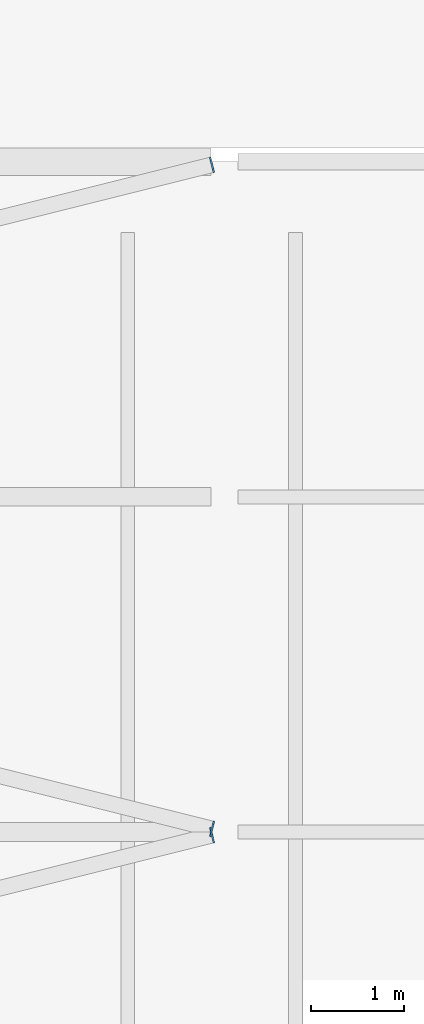
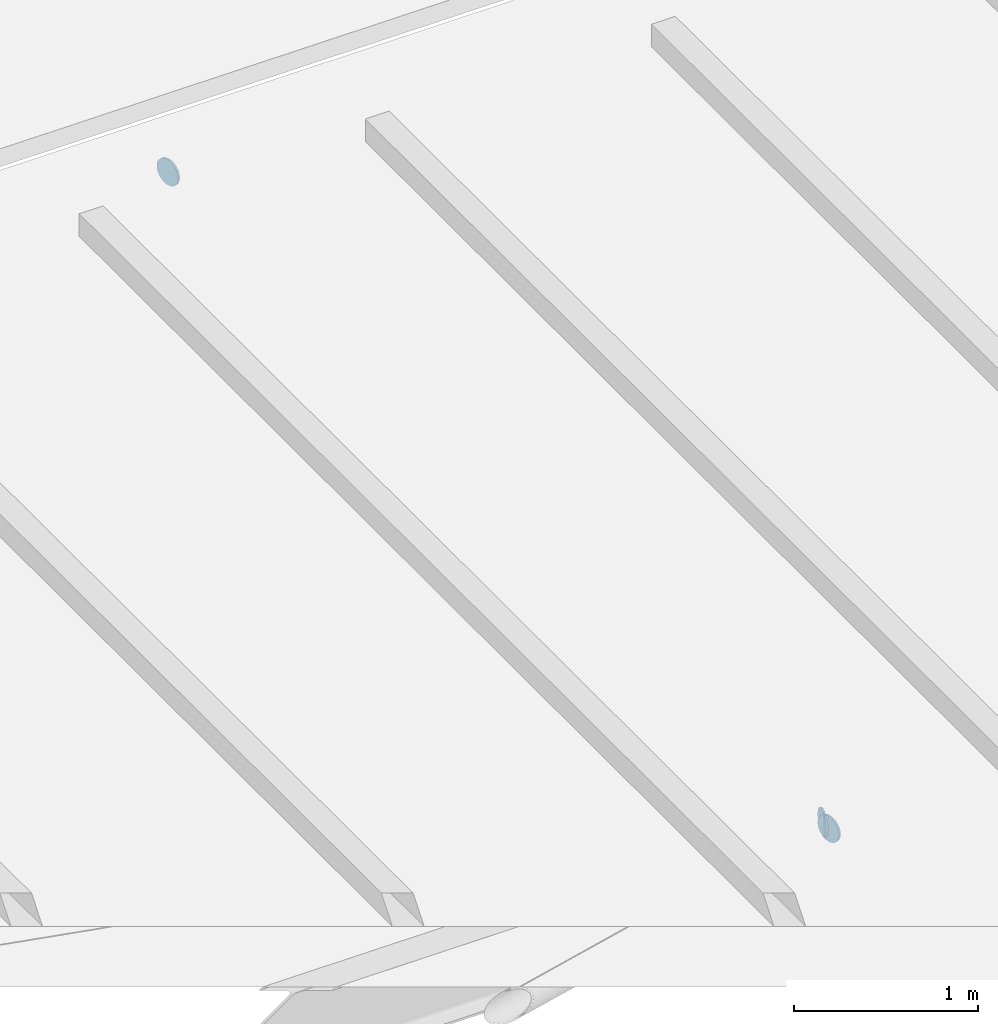
# One storey, part 111 of 120: 3 discrete accessories.
"""IFC4 building model written with IfcOpenShell, lengths in metres."""

from ifc_helpers import new_model, si_unit, direction, frame, origin, origin_2d, place, context, subcontext, project, spatial, circle, extrude, material, layer, layer_set, type_object, element, save


model = new_model("IFC4")

# Units and contexts
model_context = context("Model", 3, precision=1e-05, world=origin(), true_north=direction((0.0, 1.0)))
body_context = subcontext(model_context, "Body", "Model", "MODEL_VIEW")
ifc_project = project(units=[si_unit("LENGTHUNIT", "METRE"), si_unit("AREAUNIT", "SQUARE_METRE"), si_unit("VOLUMEUNIT", "CUBIC_METRE"), si_unit("PLANEANGLEUNIT", "RADIAN"), si_unit("MASSUNIT", "GRAM", prefix="KILO")], contexts=[model_context])

# Site, building, storey
site_placement = place(None, origin())
site = spatial("IfcSite", under=ifc_project, at=site_placement, CompositionType="ELEMENT")
building_placement = place(site_placement, origin())
building = spatial("IfcBuilding", under=site, at=building_placement, Name="Kupolbacken Congress Centre", CompositionType="ELEMENT")
storey_placement = place(building_placement, frame((0.0, 0.0, 21.60009765625)))
storey = spatial("IfcBuildingStorey", under=building, at=storey_placement, Name="L06", CompositionType="ELEMENT", Elevation=21.60009765625)

# Discrete accessories
ifc_material = material(Name="Steel S355", Category="steel")
ifc_layer = layer(ifc_material, 0.011962890625)
ifc_layer_set = layer_set([ifc_layer], Name="Steel S355")
discrete_accessory_type = type_object("IfcDiscreteAccessoryType", Name="EC2 tube end cap plate 168 dia x 12", PredefinedType="BRACKET", material=ifc_layer_set)
for number, where, z_axis, x_axis, name in (
    (1, (194.25927734375, 107.96484375, -0.084228515625), (0.970142500145, 0.242535625036, 0.0), (-0.242535625036, 0.970142500145, 0.0), "End cap plate HR/RB/07-17 B"),
    (2, (194.25927734375, 108.03515625, -0.084228515625), (0.970142500145, -0.242535625036, 0.0), (0.242535625036, 0.970142500145, 0.0), "End cap plate HR/RB/07-18 A"),
    (3, (194.25927734375, 115.164794921875, -0.084228515625), (0.970142500145, 0.242535625036, 0.0), (-0.242535625036, 0.970142500145, 0.0), "End cap plate HR/RB/07-19 B"),
):
    element("IfcDiscreteAccessory", number, at=place(storey_placement, frame(where, z_axis=z_axis, x_axis=x_axis)), inside=storey, type_object=discrete_accessory_type, Name=name, PredefinedType="BRACKET", context=body_context, shape_type="SweptSolid", body=[
        extrude(circle(Radius=0.084228515625, at=origin_2d()), origin(), (0.0, 0.0, 1.0), 0.011962890625),
    ])

save(model, "model.ifc")
